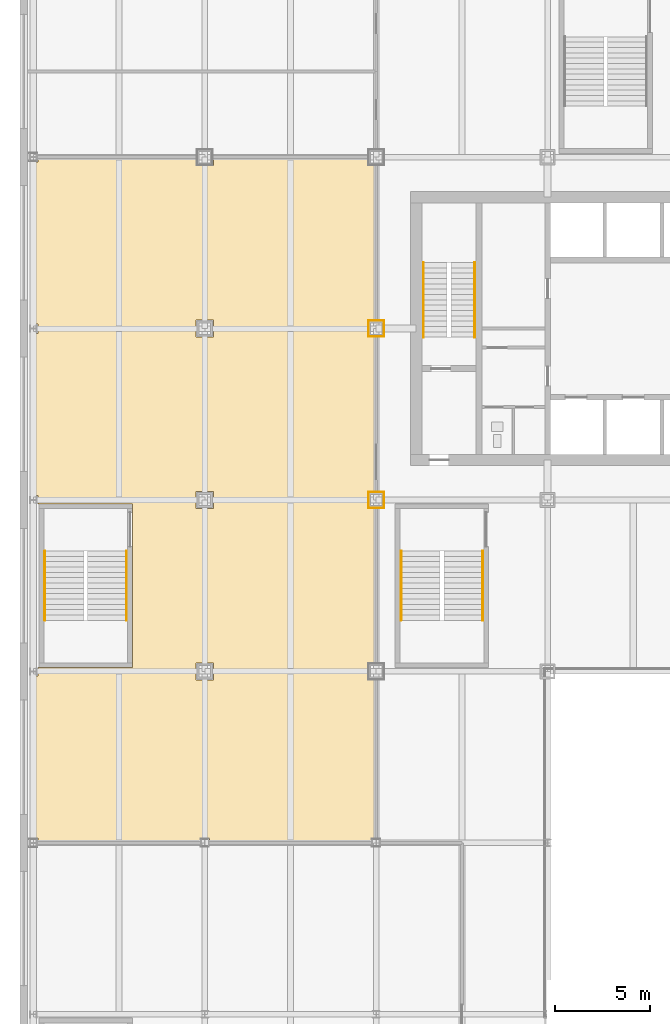
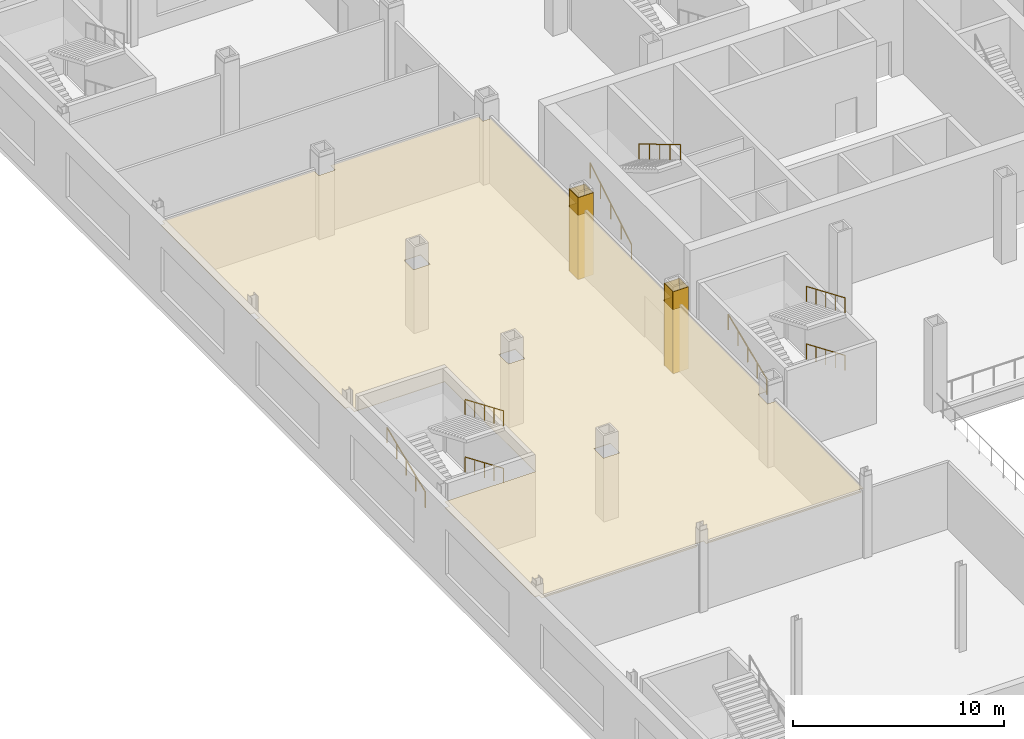
# One storey, part 22 of 28: 9 coverings, 8 railings.
"""IFC4 building model written with IfcOpenShell, lengths in metres."""

from ifc_helpers import new_model, si_unit, direction, frame, origin, origin_2d, place, context, subcontext, project, spatial, polyline, rectangle, circle, outline, extrude, material, layer, layer_set, type_object, element, save


model = new_model("IFC4")

# Units and contexts
model_context = context("Model", 3, precision=1e-05, world=origin(), true_north=direction((0.0, 1.0)))
body_context = subcontext(model_context, "Body", "Model", "MODEL_VIEW")
ifc_project = project(units=[si_unit("LENGTHUNIT", "METRE"), si_unit("AREAUNIT", "SQUARE_METRE"), si_unit("VOLUMEUNIT", "CUBIC_METRE"), si_unit("PLANEANGLEUNIT", "RADIAN"), si_unit("MASSUNIT", "GRAM", prefix="KILO")], contexts=[model_context])

# Site, building, storey
site_placement = place(None, origin())
site = spatial("IfcSite", under=ifc_project, at=site_placement, CompositionType="ELEMENT")
building_placement = place(site_placement, origin())
building = spatial("IfcBuilding", under=site, at=building_placement, Name="Loomwork Tower", CompositionType="ELEMENT")
storey_placement = place(building_placement, frame((0.0, 0.0, 6.0)))
storey = spatial("IfcBuildingStorey", under=building, at=storey_placement, Name="L01", CompositionType="ELEMENT", Elevation=6.0)

# Coverings
ifc_material_1 = material(Name="Two-hour fire-rated gypsum board casing")
ifc_layer_1 = layer(ifc_material_1, 0.02490234375)
ifc_layer_set_1 = layer_set([ifc_layer_1], Name="Column fire casing 25")
covering_type_1 = type_object("IfcCoveringType", Name="Column fire casing 25", PredefinedType="CLADDING", material=ifc_layer_set_1)
for number, where, z_axis, x_axis, name in (
    (1, (9.0, 9.41259765625, 0.0), (0.0, 0.0, 1.0), (1.0, 0.0, 0.0), "Column casing 9 9 L01"),
    (2, (9.0, 8.58740234375, 0.0), (0.0, 0.0, 1.0), (1.0, 0.0, 0.0), "Column casing 9 9 L01"),
):
    element("IfcCovering", number, at=place(storey_placement, frame(where, z_axis=z_axis, x_axis=x_axis)), inside=storey, type_object=covering_type_1, Name=name, PredefinedType="CLADDING", context=body_context, shape_type="SweptSolid", body=[
        extrude(rectangle(XDim=0.85009765625, YDim=0.02490234375, at=origin_2d()), origin(), (0.0, 0.0, 1.0), 4.75),
    ])
for number, where, z_axis, x_axis, name in (
    (3, (9.41259765625, 9.0, 0.0), (0.0, 0.0, 1.0), (1.0, 0.0, 0.0), "Column casing 9 9 L01"),
    (4, (8.58740234375, 9.0, 0.0), (0.0, 0.0, 1.0), (1.0, 0.0, 0.0), "Column casing 9 9 L01"),
):
    element("IfcCovering", number, at=place(storey_placement, frame(where, z_axis=z_axis, x_axis=x_axis)), inside=storey, type_object=covering_type_1, Name=name, PredefinedType="CLADDING", context=body_context, shape_type="SweptSolid", body=[
        extrude(rectangle(XDim=0.02490234375, YDim=0.800048828125, at=origin_2d()), origin(), (0.0, 0.0, 1.0), 4.75),
    ])
for number, where, z_axis, x_axis, name in (
    (5, (9.0, 18.41259765625, 0.0), (0.0, 0.0, 1.0), (1.0, 0.0, 0.0), "Column casing 9 18 L01"),
    (6, (9.0, 17.58740234375, 0.0), (0.0, 0.0, 1.0), (1.0, 0.0, 0.0), "Column casing 9 18 L01"),
):
    element("IfcCovering", number, at=place(storey_placement, frame(where, z_axis=z_axis, x_axis=x_axis)), inside=storey, type_object=covering_type_1, Name=name, PredefinedType="CLADDING", context=body_context, shape_type="SweptSolid", body=[
        extrude(rectangle(XDim=0.85009765625, YDim=0.02490234375, at=origin_2d()), origin(), (0.0, 0.0, 1.0), 4.75),
    ])
for number, where, z_axis, x_axis, name in (
    (7, (9.41259765625, 18.0, 0.0), (0.0, 0.0, 1.0), (1.0, 0.0, 0.0), "Column casing 9 18 L01"),
    (8, (8.58740234375, 18.0, 0.0), (0.0, 0.0, 1.0), (1.0, 0.0, 0.0), "Column casing 9 18 L01"),
):
    element("IfcCovering", number, at=place(storey_placement, frame(where, z_axis=z_axis, x_axis=x_axis)), inside=storey, type_object=covering_type_1, Name=name, PredefinedType="CLADDING", context=body_context, shape_type="SweptSolid", body=[
        extrude(rectangle(XDim=0.02490234375, YDim=0.800048828125, at=origin_2d()), origin(), (0.0, 0.0, 1.0), 4.75),
    ])

# Railings
ifc_material_2 = material(Name="Stainless steel handrail", Category="steel")
railing_type = type_object("IfcRailingType", Name="Handrail 900", PredefinedType="HANDRAIL", material=ifc_material_2)
railing_1_placement = place(storey_placement, frame((11.485107421875, 17.550048828125, 0.166748046875)))
element("IfcRailing", 9, at=railing_1_placement, inside=storey, type_object=railing_type, Name="Stair A handrail flight 1 L01", PredefinedType="HANDRAIL", context=body_context, shape_type="SweptSolid", body=[
    extrude(circle(Radius=0.02392578125, at=origin_2d()), frame((0.0, 0.0, 0.8759765625), z_axis=(0.0, 0.859296244711, 0.511478214419), x_axis=(-1.0, 0.0, 0.0)), (0.0, 0.0, 1.0), 4.561767578125),
    extrude(circle(Radius=0.02099609375, at=origin_2d()), origin(), (0.0, 0.0, 1.0), 0.851806640625),
    extrude(circle(Radius=0.02099609375, at=origin_2d()), frame((0.0, 0.97998046875, 0.583251953125)), (0.0, 0.0, 1.0), 0.851806640625),
    extrude(circle(Radius=0.02099609375, at=origin_2d()), frame((0.0, 1.9599609375, 1.16650390625)), (0.0, 0.0, 1.0), 0.851806640625),
    extrude(circle(Radius=0.02099609375, at=origin_2d()), frame((0.0, 2.93994140625, 1.75)), (0.0, 0.0, 1.0), 0.851806640625),
    extrude(circle(Radius=0.02099609375, at=origin_2d()), frame((0.0, 3.919921875, 2.333251953125)), (0.0, 0.0, 1.0), 0.851806640625),
])
railing_2_placement = place(storey_placement, frame((14.1650390625, 21.469970703125, 2.666748046875)))
element("IfcRailing", 10, at=railing_2_placement, inside=storey, type_object=railing_type, Name="Stair A handrail flight 2 L01", PredefinedType="HANDRAIL", context=body_context, shape_type="SweptSolid", body=[
    extrude(circle(Radius=0.02392578125, at=origin_2d()), frame((0.0, 0.0, 0.8759765625), z_axis=(0.0, -0.859296244711, 0.511478214419), x_axis=(1.0, 0.0, 0.0)), (0.0, 0.0, 1.0), 4.561767578125),
    extrude(circle(Radius=0.02099609375, at=origin_2d()), origin(), (0.0, 0.0, 1.0), 0.851806640625),
    extrude(circle(Radius=0.02099609375, at=origin_2d()), frame((0.0, -0.97998046875, 0.583251953125)), (0.0, 0.0, 1.0), 0.851806640625),
    extrude(circle(Radius=0.02099609375, at=origin_2d()), frame((0.0, -1.9599609375, 1.16650390625)), (0.0, 0.0, 1.0), 0.851806640625),
    extrude(circle(Radius=0.02099609375, at=origin_2d()), frame((0.0, -2.93994140625, 1.75)), (0.0, 0.0, 1.0), 0.851806640625),
    extrude(circle(Radius=0.02099609375, at=origin_2d()), frame((0.0, -3.919921875, 2.333251953125)), (0.0, 0.0, 1.0), 0.851806640625),
])
railing_3_placement = place(storey_placement, frame((-4.110107421875, 6.320068359375, 0.118896484375)))
element("IfcRailing", 11, at=railing_3_placement, inside=storey, type_object=railing_type, Name="Podium stair PS5 handrail flight 1 L01", PredefinedType="HANDRAIL", context=body_context, shape_type="SweptSolid", body=[
    extrude(circle(Radius=0.02392578125, at=origin_2d()), frame((0.0, 0.0, 0.8759765625), z_axis=(0.0, -0.920258693564, 0.391310537706), x_axis=(1.0, 0.0, 0.0)), (0.0, 0.0, 1.0), 3.95556640625),
    extrude(circle(Radius=0.02099609375, at=origin_2d()), origin(), (0.0, 0.0, 1.0), 0.851806640625),
    extrude(circle(Radius=0.02099609375, at=origin_2d()), frame((0.0, -0.91015625, 0.386962890625)), (0.0, 0.0, 1.0), 0.851806640625),
    extrude(circle(Radius=0.02099609375, at=origin_2d()), frame((0.0, -1.820068359375, 0.77392578125)), (0.0, 0.0, 1.0), 0.851806640625),
    extrude(circle(Radius=0.02099609375, at=origin_2d()), frame((0.0, -2.72998046875, 1.160888671875)), (0.0, 0.0, 1.0), 0.851806640625),
    extrude(circle(Radius=0.02099609375, at=origin_2d()), frame((0.0, -3.64013671875, 1.5478515625)), (0.0, 0.0, 1.0), 0.851806640625),
])
railing_4_placement = place(storey_placement, frame((-8.389892578125, 2.679931640625, 1.78564453125)))
element("IfcRailing", 12, at=railing_4_placement, inside=storey, type_object=railing_type, Name="Podium stair PS5 handrail flight 2 L01", PredefinedType="HANDRAIL", context=body_context, shape_type="SweptSolid", body=[
    extrude(circle(Radius=0.02392578125, at=origin_2d()), frame((0.0, 0.0, 0.8759765625), z_axis=(0.0, 0.920258693564, 0.391310537706), x_axis=(-1.0, 0.0, 0.0)), (0.0, 0.0, 1.0), 3.95556640625),
    extrude(circle(Radius=0.02099609375, at=origin_2d()), origin(), (0.0, 0.0, 1.0), 0.851806640625),
    extrude(circle(Radius=0.02099609375, at=origin_2d()), frame((0.0, 0.91015625, 0.386962890625)), (0.0, 0.0, 1.0), 0.851806640625),
    extrude(circle(Radius=0.02099609375, at=origin_2d()), frame((0.0, 1.820068359375, 0.77392578125)), (0.0, 0.0, 1.0), 0.851806640625),
    extrude(circle(Radius=0.02099609375, at=origin_2d()), frame((0.0, 2.72998046875, 1.160888671875)), (0.0, 0.0, 1.0), 0.851806640625),
    extrude(circle(Radius=0.02099609375, at=origin_2d()), frame((0.0, 3.64013671875, 1.5478515625)), (0.0, 0.0, 1.0), 0.851806640625),
])
railing_5_placement = place(storey_placement, frame((-4.110107421875, 6.320068359375, 3.452392578125)))
element("IfcRailing", 13, at=railing_5_placement, inside=storey, type_object=railing_type, Name="Podium stair PS5 handrail flight 3 L01", PredefinedType="HANDRAIL", context=body_context, shape_type="SweptSolid", body=[
    extrude(circle(Radius=0.02392578125, at=origin_2d()), frame((0.0, 0.0, 0.8759765625), z_axis=(0.0, -0.920280918742, 0.391258265855), x_axis=(1.0, 0.0, 0.0)), (0.0, 0.0, 1.0), 3.95556640625),
    extrude(circle(Radius=0.02099609375, at=origin_2d()), origin(), (0.0, 0.0, 1.0), 0.851806640625),
    extrude(circle(Radius=0.02099609375, at=origin_2d()), frame((0.0, -0.91015625, 0.386962890625)), (0.0, 0.0, 1.0), 0.851806640625),
    extrude(circle(Radius=0.02099609375, at=origin_2d()), frame((0.0, -1.820068359375, 0.77392578125)), (0.0, 0.0, 1.0), 0.851806640625),
    extrude(circle(Radius=0.02099609375, at=origin_2d()), frame((0.0, -2.72998046875, 1.16064453125)), (0.0, 0.0, 1.0), 0.851806640625),
    extrude(circle(Radius=0.02099609375, at=origin_2d()), frame((0.0, -3.64013671875, 1.547607421875)), (0.0, 0.0, 1.0), 0.851806640625),
])
railing_6_placement = place(storey_placement, frame((14.590087890625, 6.320068359375, 0.118896484375)))
element("IfcRailing", 14, at=railing_6_placement, inside=storey, type_object=railing_type, Name="Podium stair PS12 handrail flight 1 L01", PredefinedType="HANDRAIL", context=body_context, shape_type="SweptSolid", body=[
    extrude(circle(Radius=0.02392578125, at=origin_2d()), frame((0.0, 0.0, 0.8759765625), z_axis=(0.0, -0.920258693564, 0.391310537706), x_axis=(1.0, 0.0, 0.0)), (0.0, 0.0, 1.0), 3.95556640625),
    extrude(circle(Radius=0.02099609375, at=origin_2d()), origin(), (0.0, 0.0, 1.0), 0.851806640625),
    extrude(circle(Radius=0.02099609375, at=origin_2d()), frame((0.0, -0.91015625, 0.386962890625)), (0.0, 0.0, 1.0), 0.851806640625),
    extrude(circle(Radius=0.02099609375, at=origin_2d()), frame((0.0, -1.820068359375, 0.77392578125)), (0.0, 0.0, 1.0), 0.851806640625),
    extrude(circle(Radius=0.02099609375, at=origin_2d()), frame((0.0, -2.72998046875, 1.160888671875)), (0.0, 0.0, 1.0), 0.851806640625),
    extrude(circle(Radius=0.02099609375, at=origin_2d()), frame((0.0, -3.64013671875, 1.5478515625)), (0.0, 0.0, 1.0), 0.851806640625),
])
railing_7_placement = place(storey_placement, frame((10.31005859375, 2.679931640625, 1.78564453125)))
element("IfcRailing", 15, at=railing_7_placement, inside=storey, type_object=railing_type, Name="Podium stair PS12 handrail flight 2 L01", PredefinedType="HANDRAIL", context=body_context, shape_type="SweptSolid", body=[
    extrude(circle(Radius=0.02392578125, at=origin_2d()), frame((0.0, 0.0, 0.8759765625), z_axis=(0.0, 0.920258693564, 0.391310537706), x_axis=(-1.0, 0.0, 0.0)), (0.0, 0.0, 1.0), 3.95556640625),
    extrude(circle(Radius=0.02099609375, at=origin_2d()), origin(), (0.0, 0.0, 1.0), 0.851806640625),
    extrude(circle(Radius=0.02099609375, at=origin_2d()), frame((0.0, 0.91015625, 0.386962890625)), (0.0, 0.0, 1.0), 0.851806640625),
    extrude(circle(Radius=0.02099609375, at=origin_2d()), frame((0.0, 1.820068359375, 0.77392578125)), (0.0, 0.0, 1.0), 0.851806640625),
    extrude(circle(Radius=0.02099609375, at=origin_2d()), frame((0.0, 2.72998046875, 1.160888671875)), (0.0, 0.0, 1.0), 0.851806640625),
    extrude(circle(Radius=0.02099609375, at=origin_2d()), frame((0.0, 3.64013671875, 1.5478515625)), (0.0, 0.0, 1.0), 0.851806640625),
])
railing_8_placement = place(storey_placement, frame((14.590087890625, 6.320068359375, 3.452392578125)))
element("IfcRailing", 16, at=railing_8_placement, inside=storey, type_object=railing_type, Name="Podium stair PS12 handrail flight 3 L01", PredefinedType="HANDRAIL", context=body_context, shape_type="SweptSolid", body=[
    extrude(circle(Radius=0.02392578125, at=origin_2d()), frame((0.0, 0.0, 0.8759765625), z_axis=(0.0, -0.920280918742, 0.391258265855), x_axis=(1.0, 0.0, 0.0)), (0.0, 0.0, 1.0), 3.95556640625),
    extrude(circle(Radius=0.02099609375, at=origin_2d()), origin(), (0.0, 0.0, 1.0), 0.851806640625),
    extrude(circle(Radius=0.02099609375, at=origin_2d()), frame((0.0, -0.91015625, 0.386962890625)), (0.0, 0.0, 1.0), 0.851806640625),
    extrude(circle(Radius=0.02099609375, at=origin_2d()), frame((0.0, -1.820068359375, 0.77392578125)), (0.0, 0.0, 1.0), 0.851806640625),
    extrude(circle(Radius=0.02099609375, at=origin_2d()), frame((0.0, -2.72998046875, 1.16064453125)), (0.0, 0.0, 1.0), 0.851806640625),
    extrude(circle(Radius=0.02099609375, at=origin_2d()), frame((0.0, -3.64013671875, 1.547607421875)), (0.0, 0.0, 1.0), 0.851806640625),
])

# Covering
ifc_material_3 = material(Name="Mineral fibre acoustic tile on suspension grid")
ifc_layer_2 = layer(ifc_material_3, 0.02490234375)
ifc_layer_set_2 = layer_set([ifc_layer_2], Name="Suspended acoustic ceiling")
covering_type_2 = type_object("IfcCoveringType", Name="Suspended acoustic ceiling", PredefinedType="CEILING", material=ifc_layer_set_2)
covering_placement = place(storey_placement, frame((0.0, 0.0, 3.72509765625)))
element("IfcCovering", 17, at=covering_placement, inside=storey, type_object=covering_type_2, Name="Ceiling Food court L01", PredefinedType="CEILING", context=body_context, shape_type="SweptSolid", body=[
    extrude(outline(polyline([(-3.800048828125, 0.199951171875), (-3.800048828125, 8.800048828125), (-8.761962890625, 8.800048828125), (-8.761962890625, 9.246826171875), (-9.0, 9.246826171875), (-9.0, 17.753173828125), (-8.761962890625, 17.753173828125), (-8.761962890625, 18.246826171875), (-9.0, 18.246826171875), (-9.0, 26.753173828125), (-8.761962890625, 26.753173828125), (-8.761962890625, 27.0), (-0.449951171875, 27.0), (-0.449951171875, 26.550048828125), (0.449951171875, 26.550048828125), (0.449951171875, 27.0), (8.550048828125, 27.0), (8.550048828125, 26.550048828125), (9.0, 26.550048828125), (9.0, 18.449951171875), (8.550048828125, 18.449951171875), (8.550048828125, 17.550048828125), (9.0, 17.550048828125), (9.0, 9.449951171875), (8.550048828125, 9.449951171875), (8.550048828125, 8.550048828125), (9.0, 8.550048828125), (9.0, 0.449951171875), (8.550048828125, 0.449951171875), (8.550048828125, -0.449951171875), (9.0, -0.449951171875), (9.0, -8.761962890625), (8.753173828125, -8.761962890625), (8.753173828125, -9.0), (0.246826171875, -9.0), (0.246826171875, -8.761962890625), (-0.246826171875, -8.761962890625), (-0.246826171875, -9.0), (-8.761962890625, -9.0), (-8.761962890625, -8.753173828125), (-9.0, -8.753173828125), (-9.0, -0.246826171875), (-8.761962890625, -0.246826171875), (-8.761962890625, 0.199951171875), (-3.800048828125, 0.199951171875)]), holes=[polyline([(-0.449951171875, -0.449951171875), (0.449951171875, -0.449951171875), (0.449951171875, 0.449951171875), (-0.449951171875, 0.449951171875), (-0.449951171875, -0.449951171875)]), polyline([(-0.449951171875, 8.550048828125), (0.449951171875, 8.550048828125), (0.449951171875, 9.449951171875), (-0.449951171875, 9.449951171875), (-0.449951171875, 8.550048828125)]), polyline([(-0.449951171875, 17.550048828125), (0.449951171875, 17.550048828125), (0.449951171875, 18.449951171875), (-0.449951171875, 18.449951171875), (-0.449951171875, 17.550048828125)])]), origin(), (0.0, 0.0, 1.0), 0.02490234375),
])

save(model, "model.ifc")
